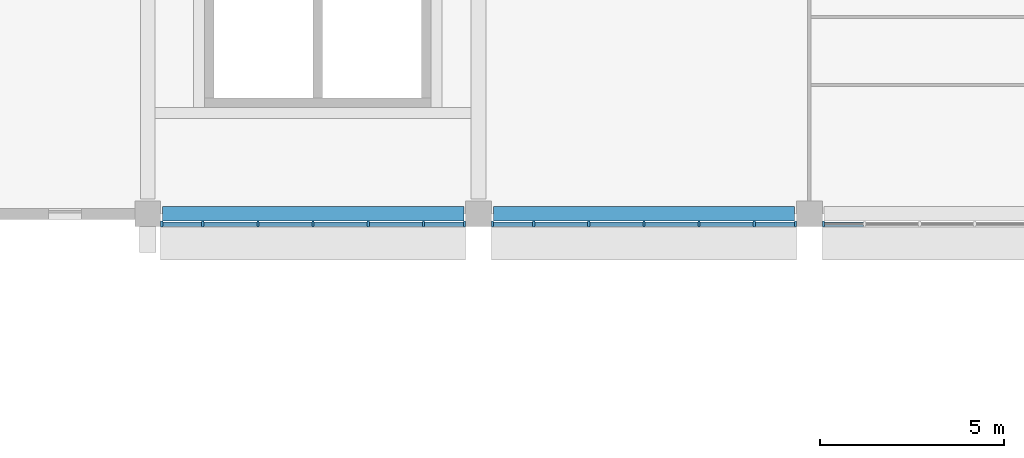
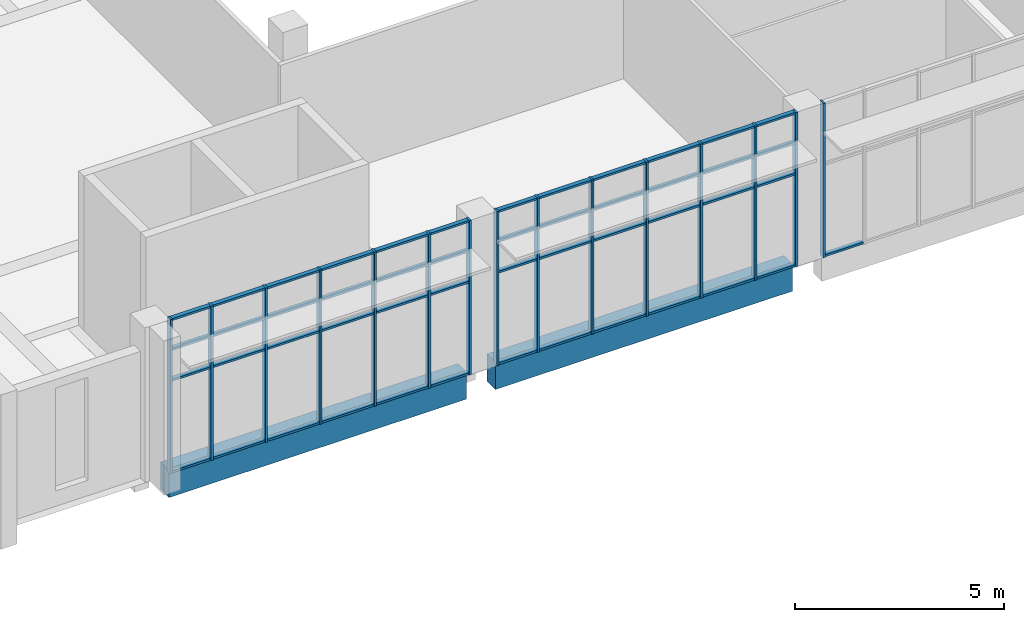
# One storey, part 2 of 45: 64 members, 2 beams, 3 elements without a shape of their own.
"""IFC4 building model written with IfcOpenShell, lengths in metres."""

import ifcopenshell
import ifcopenshell.guid

model = None  # the IFC model being written
_history = None  # IfcOwnerHistory: only IFC2X3 demands one
_inside = {}  # id of a spatial element -> (the spatial element, [elements in it])
_under = {}  # id of a project, library or spatial element -> (it, [spatial elements below it])
_declared = {}  # id of a project -> (the project, [libraries it declares])
_typed = {}  # id of a type object -> (the type object, [elements of that type])
_made_of = {}  # id of a material, layer set ... -> (it, [elements and type objects made of it])


def new_model(schema):
    """Start an empty IFC model of exactly this schema.

    Asked for "IFC4X3", IfcOpenShell would pick the latest addendum, in which some entities
    have other attributes; the version numbers below select the first issue.
    IFC2X3 requires an IfcOwnerHistory on every rooted entity: one is made here for all.
    """
    global model, _history
    if schema == "IFC4X3":
        model = ifcopenshell.file(schema_version=(4, 3, 0, 0))
    else:
        model = ifcopenshell.file(schema=schema)
    _inside.clear()
    _under.clear()
    _declared.clear()
    _typed.clear()
    _made_of.clear()
    _history = None
    if model.schema == "IFC2X3":
        org = make("IfcOrganization", Name="unknown")
        user = make(
            "IfcPersonAndOrganization",
            ThePerson=make("IfcPerson", FamilyName="unknown"),
            TheOrganization=org,
        )
        app = make(
            "IfcApplication",
            ApplicationDeveloper=org,
            Version="unknown",
            ApplicationFullName="unknown",
            ApplicationIdentifier="unknown",
        )
        _history = make(
            "IfcOwnerHistory",
            OwningUser=user,
            OwningApplication=app,
            ChangeAction="ADDED",
            CreationDate=0,
        )
    return model


def make(cls, **values):
    """One entity of the class cls with the attributes given. An attribute that is None is left unset."""
    return model.create_entity(
        cls, **{name: value for name, value in values.items() if value is not None}
    )


def rooted(cls, **values):
    """An entity with a GlobalId (a new one), such as an element, a storey or a relation."""
    return make(cls, GlobalId=ifcopenshell.guid.new(), OwnerHistory=_history, **values)


def si_unit(unit_type, name, prefix=None):
    """IfcSIUnit, for example si_unit("LENGTHUNIT", "METRE", prefix="MILLI")."""
    return make("IfcSIUnit", UnitType=unit_type, Prefix=prefix, Name=name)


def assignment(units):
    """IfcUnitAssignment: the units of a project."""
    return None if units is None else make("IfcUnitAssignment", Units=units)


def point(xyz):
    """IfcCartesianPoint."""
    return None if xyz is None else make("IfcCartesianPoint", Coordinates=xyz)


def direction(xyz):
    """IfcDirection."""
    return None if xyz is None else make("IfcDirection", DirectionRatios=xyz)


def frame(location, z_axis=None, x_axis=None):
    """IfcAxis2Placement3D, a coordinate frame: its origin and axes. An axis left out is left unset."""
    return make(
        "IfcAxis2Placement3D",
        Location=point(location),
        Axis=direction(z_axis),
        RefDirection=direction(x_axis),
    )


def frame_2d(location, x_axis=None):
    """IfcAxis2Placement2D, a coordinate frame in the plane: its origin and x axis."""
    return make(
        "IfcAxis2Placement2D", Location=point(location), RefDirection=direction(x_axis)
    )


def origin():
    """The frame at (0, 0, 0) with its axes left unset."""
    return frame((0.0, 0.0, 0.0))


def origin_2d():
    """The frame at (0, 0) in the plane with its x axis left unset."""
    return frame_2d((0.0, 0.0))


def place(relative_to, where):
    """IfcLocalPlacement: puts the frame where relative to a parent placement (None: the world)."""
    return make(
        "IfcLocalPlacement", PlacementRelTo=relative_to, RelativePlacement=where
    )


def context(
    kind, dimensions, precision=None, world=None, true_north=None, identifier=None
):
    """IfcGeometricRepresentationContext, for example the 3D "Model" context."""
    return make(
        "IfcGeometricRepresentationContext",
        ContextIdentifier=identifier,
        ContextType=kind,
        CoordinateSpaceDimension=dimensions,
        Precision=precision,
        WorldCoordinateSystem=world,
        TrueNorth=true_north,
    )


def subcontext(parent, identifier, kind, view, scale=None):
    """IfcGeometricRepresentationSubContext, for example "Body" below "Model"."""
    return make(
        "IfcGeometricRepresentationSubContext",
        ContextIdentifier=identifier,
        ContextType=kind,
        ParentContext=parent,
        TargetScale=scale,
        TargetView=view,
    )


def project(units=None, contexts=None):
    """IfcProject with its units and contexts."""
    return rooted(
        "IfcProject",
        Name="project",
        RepresentationContexts=contexts,
        UnitsInContext=assignment(units),
    )


def spatial(cls, under=None, at=None, **own):
    """A site, building, storey or space (cls), placed at a placement, below another one or the project."""
    s = rooted(cls, ObjectPlacement=at, **own)
    if under is not None:
        _under.setdefault(under.id(), (under, []))[1].append(s)
    return s


def profile(cls, at=None, kind="AREA", **sizes):
    """A parametric profile (cls). Its sizes go by their IFC names, for example OverallWidth=200.0."""
    return make(cls, ProfileType=kind, Position=at, **sizes)


def rectangle(**sizes):
    """IfcRectangleProfileDef."""
    return profile("IfcRectangleProfileDef", **sizes)


def extrude(swept, where, along, depth):
    """IfcExtrudedAreaSolid: the profile swept, set in the frame where, extruded along a direction by depth."""
    return make(
        "IfcExtrudedAreaSolid",
        SweptArea=swept,
        Position=where,
        ExtrudedDirection=direction(along),
        Depth=depth,
    )


def shape(context_of_items, identifier, shape_type, items):
    """IfcShapeRepresentation: the items that make up one representation, for example the "Body"."""
    return make(
        "IfcShapeRepresentation",
        ContextOfItems=context_of_items,
        RepresentationIdentifier=identifier,
        RepresentationType=shape_type,
        Items=items,
    )


def material(Name=None, Category=None):
    """IfcMaterial."""
    return make("IfcMaterial", Name=Name, Category=Category)


def layer(
    of_material, thickness, ventilated=None, Name=None, Category=None, Priority=None
):
    """IfcMaterialLayer: one layer of a wall or slab, of a material (None: an air gap)."""
    return make(
        "IfcMaterialLayer",
        Material=of_material,
        LayerThickness=thickness,
        IsVentilated=ventilated,
        Name=Name,
        Category=Category,
        Priority=Priority,
    )


def layer_set(layers, Name=None):
    """IfcMaterialLayerSet."""
    return make("IfcMaterialLayerSet", MaterialLayers=layers, LayerSetName=Name)


def material_profile(
    of_material, cross_section, Name=None, Category=None, Priority=None
):
    """IfcMaterialProfile: a cross section and its material."""
    return make(
        "IfcMaterialProfile",
        Name=Name,
        Material=of_material,
        Profile=cross_section,
        Priority=Priority,
        Category=Category,
    )


def profile_set(profiles, Name=None, composite=None):
    """IfcMaterialProfileSet."""
    return make(
        "IfcMaterialProfileSet",
        Name=Name,
        MaterialProfiles=profiles,
        CompositeProfile=composite,
    )


def made_of(thing, what):
    """Note that an element or type object is made of a material, layer set ...; save() writes the relation."""
    if what is not None:
        _made_of.setdefault(what.id(), (what, []))[1].append(thing)
    return thing


def type_object(cls, material=None, **own):
    """A type object (cls), such as IfcWallType, which elements share."""
    return made_of(rooted(cls, **own), material)


def element(
    cls,
    number,
    at=None,
    inside=None,
    cuts=None,
    type_object=None,
    material=None,
    context=None,
    identifier="Body",
    shape_type=None,
    held_by="IfcProductDefinitionShape",
    body=None,
    shapes=None,
    **own,
):
    """One element of the class cls, such as IfcWall. Its Tag is "e" and its number.

    at: its placement. inside: the storey or other place that contains it. cuts: it is an
    opening in that element (IfcRelVoidsElement). A single representation is given by context,
    identifier, shape_type and body (its items); several are given by shapes. held_by: the class
    of the entity that holds the representations. save() writes the other relations.
    """
    e = rooted(cls, Tag="e%d" % number, ObjectPlacement=at, **own)
    if body is not None:
        shapes = [shape(context, identifier, shape_type, body)]
    if shapes is not None:
        e.Representation = make(held_by, Representations=shapes)
    if inside is not None:
        _inside.setdefault(inside.id(), (inside, []))[1].append(e)
    if cuts is not None:
        rooted(
            "IfcRelVoidsElement", RelatingBuildingElement=cuts, RelatedOpeningElement=e
        )
    if type_object is not None:
        _typed.setdefault(type_object.id(), (type_object, []))[1].append(e)
    return made_of(e, material)


def aggregate(whole, parts):
    """IfcRelAggregates: a whole, such as a stair, and the parts it consists of."""
    return rooted("IfcRelAggregates", RelatingObject=whole, RelatedObjects=parts)


def save(model, path):
    """Write the relations noted so far, then the file.

    IfcRelAggregates (storeys below a building ...), IfcRelContainedInSpatialStructure (elements
    in a storey), IfcRelDefinesByType, IfcRelAssociatesMaterial and IfcRelDeclares: one each for
    every whole, place, type object, material and project.
    """
    for whole, parts in _under.values():
        aggregate(whole, parts)
    for where, things in _inside.values():
        rooted(
            "IfcRelContainedInSpatialStructure",
            RelatedElements=things,
            RelatingStructure=where,
        )
    for kind, things in _typed.values():
        rooted("IfcRelDefinesByType", RelatedObjects=things, RelatingType=kind)
    for what, things in _made_of.values():
        rooted("IfcRelAssociatesMaterial", RelatedObjects=things, RelatingMaterial=what)
    for by, libraries in _declared.values():
        rooted("IfcRelDeclares", RelatingContext=by, RelatedDefinitions=libraries)
    model.write(path)


model = new_model("IFC4")

# Units and contexts
model_context = context("Model", 3, precision=1e-05, world=origin(), true_north=direction((0.0, 1.0)))
body_context = subcontext(model_context, "Body", "Model", "MODEL_VIEW")
ifc_project = project(units=[si_unit("LENGTHUNIT", "METRE"), si_unit("AREAUNIT", "SQUARE_METRE"), si_unit("VOLUMEUNIT", "CUBIC_METRE"), si_unit("PLANEANGLEUNIT", "RADIAN"), si_unit("MASSUNIT", "GRAM", prefix="KILO")], contexts=[model_context])

# Site, building, storey
site_placement = place(None, origin())
site = spatial("IfcSite", under=ifc_project, at=site_placement, CompositionType="ELEMENT")
building_placement = place(site_placement, origin())
building = spatial("IfcBuilding", under=site, at=building_placement, Name="Guidao Yard Department Store", CompositionType="ELEMENT")
storey_placement = place(building_placement, frame((0.0, 0.0, 19.5)))
storey = spatial("IfcBuildingStorey", under=building, at=storey_placement, Name="L04", CompositionType="ELEMENT", Elevation=19.5)

# Curtain wall, members
ifc_material_1 = material(Name="Aluminium and glass", Category="aluminium")
ifc_layer = layer(ifc_material_1, 0.159912109375)
ifc_layer_set = layer_set([ifc_layer], Name="Hall front curtain wall CW2 1500 module")
curtain_wall_type = type_object("IfcCurtainWallType", Name="Hall front curtain wall CW2 1500 module", PredefinedType="NOTDEFINED", material=ifc_layer_set)
curtain_wall_1_placement = place(storey_placement, origin())
curtain_wall_1 = element("IfcCurtainWall", 1, at=curtain_wall_1_placement, inside=storey, type_object=curtain_wall_type, Name="Hall front curtain wall", PredefinedType="NOTDEFINED")
ifc_material_2 = material(Name="Aluminium 6063-T5", Category="aluminium")
ifc_material_profile_1 = material_profile(ifc_material_2, rectangle(XDim=0.06005859375, YDim=0.159912109375, at=origin_2d()), Name="Mullion M1 60 x 160 aluminium pressure plate")
ifc_profile_set_1 = profile_set([ifc_material_profile_1], Name="Aluminium 6063-T5")
member_type_1 = type_object("IfcMemberType", Name="Mullion M1 60 x 160 aluminium pressure plate", PredefinedType="MULLION", material=ifc_profile_set_1)
member_1_placement = place(storey_placement, frame((9.3798828125, 44.719970703125, 0.0), z_axis=(0.0, 0.0, 1.0), x_axis=(-1.0, 0.0, 0.0)))
member_1 = element("IfcMember", 2, at=member_1_placement, type_object=member_type_1, Name="CW-HF-L04-01 mullion 1", PredefinedType="MULLION", context=body_context, shape_type="SweptSolid", body=[
    extrude(rectangle(XDim=0.06005859375, YDim=0.159912109375, at=origin_2d()), origin(), (0.0, 0.0, 1.0), 4.5),
])
member_2_placement = place(storey_placement, frame((10.5, 44.719970703125, 0.0), z_axis=(0.0, 0.0, 1.0), x_axis=(-1.0, 0.0, 0.0)))
member_2 = element("IfcMember", 3, at=member_2_placement, type_object=member_type_1, Name="CW-HF-L04-01 mullion 2", PredefinedType="MULLION", context=body_context, shape_type="SweptSolid", body=[
    extrude(rectangle(XDim=0.06005859375, YDim=0.159912109375, at=origin_2d()), origin(), (0.0, 0.0, 1.0), 4.5),
])
member_3_placement = place(storey_placement, frame((12.0, 44.719970703125, 0.0), z_axis=(0.0, 0.0, 1.0), x_axis=(-1.0, 0.0, 0.0)))
member_3 = element("IfcMember", 4, at=member_3_placement, type_object=member_type_1, Name="CW-HF-L04-01 mullion 3", PredefinedType="MULLION", context=body_context, shape_type="SweptSolid", body=[
    extrude(rectangle(XDim=0.06005859375, YDim=0.159912109375, at=origin_2d()), origin(), (0.0, 0.0, 1.0), 4.5),
])
member_4_placement = place(storey_placement, frame((13.5, 44.719970703125, 0.0), z_axis=(0.0, 0.0, 1.0), x_axis=(-1.0, 0.0, 0.0)))
member_4 = element("IfcMember", 5, at=member_4_placement, type_object=member_type_1, Name="CW-HF-L04-01 mullion 4", PredefinedType="MULLION", context=body_context, shape_type="SweptSolid", body=[
    extrude(rectangle(XDim=0.06005859375, YDim=0.159912109375, at=origin_2d()), origin(), (0.0, 0.0, 1.0), 4.5),
])
member_5_placement = place(storey_placement, frame((15.0, 44.719970703125, 0.0), z_axis=(0.0, 0.0, 1.0), x_axis=(-1.0, 0.0, 0.0)))
member_5 = element("IfcMember", 6, at=member_5_placement, type_object=member_type_1, Name="CW-HF-L04-01 mullion 5", PredefinedType="MULLION", context=body_context, shape_type="SweptSolid", body=[
    extrude(rectangle(XDim=0.06005859375, YDim=0.159912109375, at=origin_2d()), origin(), (0.0, 0.0, 1.0), 4.5),
])
member_6_placement = place(storey_placement, frame((16.5, 44.719970703125, 0.0), z_axis=(0.0, 0.0, 1.0), x_axis=(-1.0, 0.0, 0.0)))
member_6 = element("IfcMember", 7, at=member_6_placement, type_object=member_type_1, Name="CW-HF-L04-01 mullion 6", PredefinedType="MULLION", context=body_context, shape_type="SweptSolid", body=[
    extrude(rectangle(XDim=0.06005859375, YDim=0.159912109375, at=origin_2d()), origin(), (0.0, 0.0, 1.0), 4.5),
])
member_7_placement = place(storey_placement, frame((17.6201171875, 44.719970703125, 0.0), z_axis=(0.0, 0.0, 1.0), x_axis=(-1.0, 0.0, 0.0)))
member_7 = element("IfcMember", 8, at=member_7_placement, type_object=member_type_1, Name="CW-HF-L04-01 mullion 7", PredefinedType="MULLION", context=body_context, shape_type="SweptSolid", body=[
    extrude(rectangle(XDim=0.06005859375, YDim=0.159912109375, at=origin_2d()), origin(), (0.0, 0.0, 1.0), 4.5),
])

curtain_wall_2_placement = place(storey_placement, origin())
curtain_wall_2 = element("IfcCurtainWall", 9, at=curtain_wall_2_placement, inside=storey, type_object=curtain_wall_type, Name="Hall front curtain wall", PredefinedType="NOTDEFINED")
member_8_placement = place(storey_placement, frame((18.3798828125, 44.719970703125, 0.0), z_axis=(0.0, 0.0, 1.0), x_axis=(-1.0, 0.0, 0.0)))
member_8 = element("IfcMember", 10, at=member_8_placement, type_object=member_type_1, Name="CW-HF-L04-02 mullion 1", PredefinedType="MULLION", context=body_context, shape_type="SweptSolid", body=[
    extrude(rectangle(XDim=0.06005859375, YDim=0.159912109375, at=origin_2d()), origin(), (0.0, 0.0, 1.0), 4.5),
])
member_9_placement = place(storey_placement, frame((19.5, 44.719970703125, 0.0), z_axis=(0.0, 0.0, 1.0), x_axis=(-1.0, 0.0, 0.0)))
member_9 = element("IfcMember", 11, at=member_9_placement, type_object=member_type_1, Name="CW-HF-L04-02 mullion 2", PredefinedType="MULLION", context=body_context, shape_type="SweptSolid", body=[
    extrude(rectangle(XDim=0.06005859375, YDim=0.159912109375, at=origin_2d()), origin(), (0.0, 0.0, 1.0), 4.5),
])
member_10_placement = place(storey_placement, frame((21.0, 44.719970703125, 0.0), z_axis=(0.0, 0.0, 1.0), x_axis=(-1.0, 0.0, 0.0)))
member_10 = element("IfcMember", 12, at=member_10_placement, type_object=member_type_1, Name="CW-HF-L04-02 mullion 3", PredefinedType="MULLION", context=body_context, shape_type="SweptSolid", body=[
    extrude(rectangle(XDim=0.06005859375, YDim=0.159912109375, at=origin_2d()), origin(), (0.0, 0.0, 1.0), 4.5),
])
member_11_placement = place(storey_placement, frame((22.5, 44.719970703125, 0.0), z_axis=(0.0, 0.0, 1.0), x_axis=(-1.0, 0.0, 0.0)))
member_11 = element("IfcMember", 13, at=member_11_placement, type_object=member_type_1, Name="CW-HF-L04-02 mullion 4", PredefinedType="MULLION", context=body_context, shape_type="SweptSolid", body=[
    extrude(rectangle(XDim=0.06005859375, YDim=0.159912109375, at=origin_2d()), origin(), (0.0, 0.0, 1.0), 4.5),
])
member_12_placement = place(storey_placement, frame((24.0, 44.719970703125, 0.0), z_axis=(0.0, 0.0, 1.0), x_axis=(-1.0, 0.0, 0.0)))
member_12 = element("IfcMember", 14, at=member_12_placement, type_object=member_type_1, Name="CW-HF-L04-02 mullion 5", PredefinedType="MULLION", context=body_context, shape_type="SweptSolid", body=[
    extrude(rectangle(XDim=0.06005859375, YDim=0.159912109375, at=origin_2d()), origin(), (0.0, 0.0, 1.0), 4.5),
])
member_13_placement = place(storey_placement, frame((25.5, 44.719970703125, 0.0), z_axis=(0.0, 0.0, 1.0), x_axis=(-1.0, 0.0, 0.0)))
member_13 = element("IfcMember", 15, at=member_13_placement, type_object=member_type_1, Name="CW-HF-L04-02 mullion 6", PredefinedType="MULLION", context=body_context, shape_type="SweptSolid", body=[
    extrude(rectangle(XDim=0.06005859375, YDim=0.159912109375, at=origin_2d()), origin(), (0.0, 0.0, 1.0), 4.5),
])
member_14_placement = place(storey_placement, frame((26.6201171875, 44.719970703125, 0.0), z_axis=(0.0, 0.0, 1.0), x_axis=(-1.0, 0.0, 0.0)))
member_14 = element("IfcMember", 16, at=member_14_placement, type_object=member_type_1, Name="CW-HF-L04-02 mullion 7", PredefinedType="MULLION", context=body_context, shape_type="SweptSolid", body=[
    extrude(rectangle(XDim=0.06005859375, YDim=0.159912109375, at=origin_2d()), origin(), (0.0, 0.0, 1.0), 4.5),
])

# Curtain wall, member
curtain_wall_3_placement = place(storey_placement, origin())
curtain_wall_3 = element("IfcCurtainWall", 17, at=curtain_wall_3_placement, inside=storey, type_object=curtain_wall_type, Name="Hall front curtain wall", PredefinedType="NOTDEFINED")
member_15_placement = place(storey_placement, frame((27.3798828125, 44.719970703125, 0.0), z_axis=(0.0, 0.0, 1.0), x_axis=(-1.0, 0.0, 0.0)))
member_15 = element("IfcMember", 18, at=member_15_placement, type_object=member_type_1, Name="CW-HF-L04-03 mullion 1", PredefinedType="MULLION", context=body_context, shape_type="SweptSolid", body=[
    extrude(rectangle(XDim=0.06005859375, YDim=0.159912109375, at=origin_2d()), origin(), (0.0, 0.0, 1.0), 4.5),
])

# Beams
ifc_material_3 = material(Name="Concrete C40", Category="concrete")
ifc_material_profile_2 = material_profile(ifc_material_3, rectangle(XDim=0.39990234375, YDim=0.800048828125, at=origin_2d()), Name="Spandrel beam 400 x 800 C40")
ifc_profile_set_2 = profile_set([ifc_material_profile_2], Name="Concrete C40")
beam_type = type_object("IfcBeamType", Name="Spandrel beam 400 x 800 C40", PredefinedType="SPANDREL", material=ifc_profile_set_2)
for number, where, z_axis, x_axis, name in (
    (19, (9.39990234375, 45.0, -0.39990234375), (1.0, 0.0, 0.0), (0.0, 1.0, 0.0), "Beam EB01"),
    (20, (18.39990234375, 45.0, -0.39990234375), (1.0, 0.0, 0.0), (0.0, 1.0, 0.0), "Beam EB02"),
):
    element("IfcBeam", number, at=place(storey_placement, frame(where, z_axis=z_axis, x_axis=x_axis)), inside=storey, type_object=beam_type, Name=name, PredefinedType="SPANDREL", context=body_context, shape_type="SweptSolid", body=[
        extrude(rectangle(XDim=0.39990234375, YDim=0.800048828125, at=origin_2d()), origin(), (0.0, 0.0, 1.0), 8.2001953125),
    ])

# Member
ifc_material_4 = material(Name="Aluminium 6063-T5", Category="aluminium")
ifc_material_profile_3 = material_profile(ifc_material_4, rectangle(XDim=0.1201171875, YDim=0.06005859375, at=origin_2d()), Name="Transom T1 60 x 120 aluminium pressure plate")
ifc_profile_set_3 = profile_set([ifc_material_profile_3], Name="Aluminium 6063-T5")
member_type_2 = type_object("IfcMemberType", Name="Transom T1 60 x 120 aluminium pressure plate", PredefinedType="USERDEFINED", material=ifc_profile_set_3)
member_16_placement = place(storey_placement, frame((10.469970703125, 44.719970703125, 0.030029296875), z_axis=(-1.0, 0.0, 0.0), x_axis=(0.0, -1.0, 0.0)))
member_16 = element("IfcMember", 21, at=member_16_placement, type_object=member_type_2, Name="CW-HF-L04-01 transom 1.1", ObjectType="TRANSOM", PredefinedType="USERDEFINED", context=body_context, shape_type="SweptSolid", body=[
    extrude(rectangle(XDim=0.1201171875, YDim=0.06005859375, at=origin_2d()), origin(), (0.0, 0.0, 1.0), 1.06005859375),
])

member_17_placement = place(storey_placement, frame((10.469970703125, 44.719970703125, 2.699951171875), z_axis=(-1.0, 0.0, 0.0), x_axis=(0.0, -1.0, 0.0)))
member_17 = element("IfcMember", 22, at=member_17_placement, type_object=member_type_2, Name="CW-HF-L04-01 transom 1.2", ObjectType="TRANSOM", PredefinedType="USERDEFINED", context=body_context, shape_type="SweptSolid", body=[
    extrude(rectangle(XDim=0.1201171875, YDim=0.06005859375, at=origin_2d()), origin(), (0.0, 0.0, 1.0), 1.06005859375),
])

member_18_placement = place(storey_placement, frame((10.469970703125, 44.719970703125, 3.60009765625), z_axis=(-1.0, 0.0, 0.0), x_axis=(0.0, -1.0, 0.0)))
member_18 = element("IfcMember", 23, at=member_18_placement, type_object=member_type_2, Name="CW-HF-L04-01 transom 1.3", ObjectType="TRANSOM", PredefinedType="USERDEFINED", context=body_context, shape_type="SweptSolid", body=[
    extrude(rectangle(XDim=0.1201171875, YDim=0.06005859375, at=origin_2d()), origin(), (0.0, 0.0, 1.0), 1.06005859375),
])

member_19_placement = place(storey_placement, frame((10.469970703125, 44.719970703125, 4.469970703125), z_axis=(-1.0, 0.0, 0.0), x_axis=(0.0, -1.0, 0.0)))
member_19 = element("IfcMember", 24, at=member_19_placement, type_object=member_type_2, Name="CW-HF-L04-01 transom 1.4", ObjectType="TRANSOM", PredefinedType="USERDEFINED", context=body_context, shape_type="SweptSolid", body=[
    extrude(rectangle(XDim=0.1201171875, YDim=0.06005859375, at=origin_2d()), origin(), (0.0, 0.0, 1.0), 1.06005859375),
])

member_20_placement = place(storey_placement, frame((11.969970703125, 44.719970703125, 0.030029296875), z_axis=(-1.0, 0.0, 0.0), x_axis=(0.0, -1.0, 0.0)))
member_20 = element("IfcMember", 25, at=member_20_placement, type_object=member_type_2, Name="CW-HF-L04-01 transom 2.1", ObjectType="TRANSOM", PredefinedType="USERDEFINED", context=body_context, shape_type="SweptSolid", body=[
    extrude(rectangle(XDim=0.1201171875, YDim=0.06005859375, at=origin_2d()), origin(), (0.0, 0.0, 1.0), 1.43994140625),
])

member_21_placement = place(storey_placement, frame((11.969970703125, 44.719970703125, 2.699951171875), z_axis=(-1.0, 0.0, 0.0), x_axis=(0.0, -1.0, 0.0)))
member_21 = element("IfcMember", 26, at=member_21_placement, type_object=member_type_2, Name="CW-HF-L04-01 transom 2.2", ObjectType="TRANSOM", PredefinedType="USERDEFINED", context=body_context, shape_type="SweptSolid", body=[
    extrude(rectangle(XDim=0.1201171875, YDim=0.06005859375, at=origin_2d()), origin(), (0.0, 0.0, 1.0), 1.43994140625),
])

member_22_placement = place(storey_placement, frame((11.969970703125, 44.719970703125, 3.60009765625), z_axis=(-1.0, 0.0, 0.0), x_axis=(0.0, -1.0, 0.0)))
member_22 = element("IfcMember", 27, at=member_22_placement, type_object=member_type_2, Name="CW-HF-L04-01 transom 2.3", ObjectType="TRANSOM", PredefinedType="USERDEFINED", context=body_context, shape_type="SweptSolid", body=[
    extrude(rectangle(XDim=0.1201171875, YDim=0.06005859375, at=origin_2d()), origin(), (0.0, 0.0, 1.0), 1.43994140625),
])

member_23_placement = place(storey_placement, frame((11.969970703125, 44.719970703125, 4.469970703125), z_axis=(-1.0, 0.0, 0.0), x_axis=(0.0, -1.0, 0.0)))
member_23 = element("IfcMember", 28, at=member_23_placement, type_object=member_type_2, Name="CW-HF-L04-01 transom 2.4", ObjectType="TRANSOM", PredefinedType="USERDEFINED", context=body_context, shape_type="SweptSolid", body=[
    extrude(rectangle(XDim=0.1201171875, YDim=0.06005859375, at=origin_2d()), origin(), (0.0, 0.0, 1.0), 1.43994140625),
])

member_24_placement = place(storey_placement, frame((13.469970703125, 44.719970703125, 0.030029296875), z_axis=(-1.0, 0.0, 0.0), x_axis=(0.0, -1.0, 0.0)))
member_24 = element("IfcMember", 29, at=member_24_placement, type_object=member_type_2, Name="CW-HF-L04-01 transom 3.1", ObjectType="TRANSOM", PredefinedType="USERDEFINED", context=body_context, shape_type="SweptSolid", body=[
    extrude(rectangle(XDim=0.1201171875, YDim=0.06005859375, at=origin_2d()), origin(), (0.0, 0.0, 1.0), 1.43994140625),
])

member_25_placement = place(storey_placement, frame((13.469970703125, 44.719970703125, 2.699951171875), z_axis=(-1.0, 0.0, 0.0), x_axis=(0.0, -1.0, 0.0)))
member_25 = element("IfcMember", 30, at=member_25_placement, type_object=member_type_2, Name="CW-HF-L04-01 transom 3.2", ObjectType="TRANSOM", PredefinedType="USERDEFINED", context=body_context, shape_type="SweptSolid", body=[
    extrude(rectangle(XDim=0.1201171875, YDim=0.06005859375, at=origin_2d()), origin(), (0.0, 0.0, 1.0), 1.43994140625),
])

member_26_placement = place(storey_placement, frame((13.469970703125, 44.719970703125, 3.60009765625), z_axis=(-1.0, 0.0, 0.0), x_axis=(0.0, -1.0, 0.0)))
member_26 = element("IfcMember", 31, at=member_26_placement, type_object=member_type_2, Name="CW-HF-L04-01 transom 3.3", ObjectType="TRANSOM", PredefinedType="USERDEFINED", context=body_context, shape_type="SweptSolid", body=[
    extrude(rectangle(XDim=0.1201171875, YDim=0.06005859375, at=origin_2d()), origin(), (0.0, 0.0, 1.0), 1.43994140625),
])

member_27_placement = place(storey_placement, frame((13.469970703125, 44.719970703125, 4.469970703125), z_axis=(-1.0, 0.0, 0.0), x_axis=(0.0, -1.0, 0.0)))
member_27 = element("IfcMember", 32, at=member_27_placement, type_object=member_type_2, Name="CW-HF-L04-01 transom 3.4", ObjectType="TRANSOM", PredefinedType="USERDEFINED", context=body_context, shape_type="SweptSolid", body=[
    extrude(rectangle(XDim=0.1201171875, YDim=0.06005859375, at=origin_2d()), origin(), (0.0, 0.0, 1.0), 1.43994140625),
])

member_28_placement = place(storey_placement, frame((14.969970703125, 44.719970703125, 0.030029296875), z_axis=(-1.0, 0.0, 0.0), x_axis=(0.0, -1.0, 0.0)))
member_28 = element("IfcMember", 33, at=member_28_placement, type_object=member_type_2, Name="CW-HF-L04-01 transom 4.1", ObjectType="TRANSOM", PredefinedType="USERDEFINED", context=body_context, shape_type="SweptSolid", body=[
    extrude(rectangle(XDim=0.1201171875, YDim=0.06005859375, at=origin_2d()), origin(), (0.0, 0.0, 1.0), 1.43994140625),
])

member_29_placement = place(storey_placement, frame((14.969970703125, 44.719970703125, 2.699951171875), z_axis=(-1.0, 0.0, 0.0), x_axis=(0.0, -1.0, 0.0)))
member_29 = element("IfcMember", 34, at=member_29_placement, type_object=member_type_2, Name="CW-HF-L04-01 transom 4.2", ObjectType="TRANSOM", PredefinedType="USERDEFINED", context=body_context, shape_type="SweptSolid", body=[
    extrude(rectangle(XDim=0.1201171875, YDim=0.06005859375, at=origin_2d()), origin(), (0.0, 0.0, 1.0), 1.43994140625),
])

member_30_placement = place(storey_placement, frame((14.969970703125, 44.719970703125, 3.60009765625), z_axis=(-1.0, 0.0, 0.0), x_axis=(0.0, -1.0, 0.0)))
member_30 = element("IfcMember", 35, at=member_30_placement, type_object=member_type_2, Name="CW-HF-L04-01 transom 4.3", ObjectType="TRANSOM", PredefinedType="USERDEFINED", context=body_context, shape_type="SweptSolid", body=[
    extrude(rectangle(XDim=0.1201171875, YDim=0.06005859375, at=origin_2d()), origin(), (0.0, 0.0, 1.0), 1.43994140625),
])

member_31_placement = place(storey_placement, frame((14.969970703125, 44.719970703125, 4.469970703125), z_axis=(-1.0, 0.0, 0.0), x_axis=(0.0, -1.0, 0.0)))
member_31 = element("IfcMember", 36, at=member_31_placement, type_object=member_type_2, Name="CW-HF-L04-01 transom 4.4", ObjectType="TRANSOM", PredefinedType="USERDEFINED", context=body_context, shape_type="SweptSolid", body=[
    extrude(rectangle(XDim=0.1201171875, YDim=0.06005859375, at=origin_2d()), origin(), (0.0, 0.0, 1.0), 1.43994140625),
])

member_32_placement = place(storey_placement, frame((16.469970703125, 44.719970703125, 0.030029296875), z_axis=(-1.0, 0.0, 0.0), x_axis=(0.0, -1.0, 0.0)))
member_32 = element("IfcMember", 37, at=member_32_placement, type_object=member_type_2, Name="CW-HF-L04-01 transom 5.1", ObjectType="TRANSOM", PredefinedType="USERDEFINED", context=body_context, shape_type="SweptSolid", body=[
    extrude(rectangle(XDim=0.1201171875, YDim=0.06005859375, at=origin_2d()), origin(), (0.0, 0.0, 1.0), 1.43994140625),
])

member_33_placement = place(storey_placement, frame((16.469970703125, 44.719970703125, 2.699951171875), z_axis=(-1.0, 0.0, 0.0), x_axis=(0.0, -1.0, 0.0)))
member_33 = element("IfcMember", 38, at=member_33_placement, type_object=member_type_2, Name="CW-HF-L04-01 transom 5.2", ObjectType="TRANSOM", PredefinedType="USERDEFINED", context=body_context, shape_type="SweptSolid", body=[
    extrude(rectangle(XDim=0.1201171875, YDim=0.06005859375, at=origin_2d()), origin(), (0.0, 0.0, 1.0), 1.43994140625),
])

member_34_placement = place(storey_placement, frame((16.469970703125, 44.719970703125, 3.60009765625), z_axis=(-1.0, 0.0, 0.0), x_axis=(0.0, -1.0, 0.0)))
member_34 = element("IfcMember", 39, at=member_34_placement, type_object=member_type_2, Name="CW-HF-L04-01 transom 5.3", ObjectType="TRANSOM", PredefinedType="USERDEFINED", context=body_context, shape_type="SweptSolid", body=[
    extrude(rectangle(XDim=0.1201171875, YDim=0.06005859375, at=origin_2d()), origin(), (0.0, 0.0, 1.0), 1.43994140625),
])

member_35_placement = place(storey_placement, frame((16.469970703125, 44.719970703125, 4.469970703125), z_axis=(-1.0, 0.0, 0.0), x_axis=(0.0, -1.0, 0.0)))
member_35 = element("IfcMember", 40, at=member_35_placement, type_object=member_type_2, Name="CW-HF-L04-01 transom 5.4", ObjectType="TRANSOM", PredefinedType="USERDEFINED", context=body_context, shape_type="SweptSolid", body=[
    extrude(rectangle(XDim=0.1201171875, YDim=0.06005859375, at=origin_2d()), origin(), (0.0, 0.0, 1.0), 1.43994140625),
])

member_36_placement = place(storey_placement, frame((17.590087890625, 44.719970703125, 0.030029296875), z_axis=(-1.0, 0.0, 0.0), x_axis=(0.0, -1.0, 0.0)))
member_36 = element("IfcMember", 41, at=member_36_placement, type_object=member_type_2, Name="CW-HF-L04-01 transom 6.1", ObjectType="TRANSOM", PredefinedType="USERDEFINED", context=body_context, shape_type="SweptSolid", body=[
    extrude(rectangle(XDim=0.1201171875, YDim=0.06005859375, at=origin_2d()), origin(), (0.0, 0.0, 1.0), 1.06005859375),
])

member_37_placement = place(storey_placement, frame((17.590087890625, 44.719970703125, 2.699951171875), z_axis=(-1.0, 0.0, 0.0), x_axis=(0.0, -1.0, 0.0)))
member_37 = element("IfcMember", 42, at=member_37_placement, type_object=member_type_2, Name="CW-HF-L04-01 transom 6.2", ObjectType="TRANSOM", PredefinedType="USERDEFINED", context=body_context, shape_type="SweptSolid", body=[
    extrude(rectangle(XDim=0.1201171875, YDim=0.06005859375, at=origin_2d()), origin(), (0.0, 0.0, 1.0), 1.06005859375),
])

member_38_placement = place(storey_placement, frame((17.590087890625, 44.719970703125, 3.60009765625), z_axis=(-1.0, 0.0, 0.0), x_axis=(0.0, -1.0, 0.0)))
member_38 = element("IfcMember", 43, at=member_38_placement, type_object=member_type_2, Name="CW-HF-L04-01 transom 6.3", ObjectType="TRANSOM", PredefinedType="USERDEFINED", context=body_context, shape_type="SweptSolid", body=[
    extrude(rectangle(XDim=0.1201171875, YDim=0.06005859375, at=origin_2d()), origin(), (0.0, 0.0, 1.0), 1.06005859375),
])

member_39_placement = place(storey_placement, frame((17.590087890625, 44.719970703125, 4.469970703125), z_axis=(-1.0, 0.0, 0.0), x_axis=(0.0, -1.0, 0.0)))
member_39 = element("IfcMember", 44, at=member_39_placement, type_object=member_type_2, Name="CW-HF-L04-01 transom 6.4", ObjectType="TRANSOM", PredefinedType="USERDEFINED", context=body_context, shape_type="SweptSolid", body=[
    extrude(rectangle(XDim=0.1201171875, YDim=0.06005859375, at=origin_2d()), origin(), (0.0, 0.0, 1.0), 1.06005859375),
])

aggregate(curtain_wall_1, [member_1, member_2, member_3, member_4, member_5, member_6, member_7, member_16, member_17, member_18, member_19, member_20, member_21, member_22, member_23, member_24, member_25, member_26, member_27, member_28, member_29, member_30, member_31, member_32, member_33, member_34, member_35, member_36, member_37, member_38, member_39])

member_40_placement = place(storey_placement, frame((19.469970703125, 44.719970703125, 0.030029296875), z_axis=(-1.0, 0.0, 0.0), x_axis=(0.0, -1.0, 0.0)))
member_40 = element("IfcMember", 45, at=member_40_placement, type_object=member_type_2, Name="CW-HF-L04-02 transom 1.1", ObjectType="TRANSOM", PredefinedType="USERDEFINED", context=body_context, shape_type="SweptSolid", body=[
    extrude(rectangle(XDim=0.1201171875, YDim=0.06005859375, at=origin_2d()), origin(), (0.0, 0.0, 1.0), 1.06005859375),
])

member_41_placement = place(storey_placement, frame((19.469970703125, 44.719970703125, 2.699951171875), z_axis=(-1.0, 0.0, 0.0), x_axis=(0.0, -1.0, 0.0)))
member_41 = element("IfcMember", 46, at=member_41_placement, type_object=member_type_2, Name="CW-HF-L04-02 transom 1.2", ObjectType="TRANSOM", PredefinedType="USERDEFINED", context=body_context, shape_type="SweptSolid", body=[
    extrude(rectangle(XDim=0.1201171875, YDim=0.06005859375, at=origin_2d()), origin(), (0.0, 0.0, 1.0), 1.06005859375),
])

member_42_placement = place(storey_placement, frame((19.469970703125, 44.719970703125, 3.60009765625), z_axis=(-1.0, 0.0, 0.0), x_axis=(0.0, -1.0, 0.0)))
member_42 = element("IfcMember", 47, at=member_42_placement, type_object=member_type_2, Name="CW-HF-L04-02 transom 1.3", ObjectType="TRANSOM", PredefinedType="USERDEFINED", context=body_context, shape_type="SweptSolid", body=[
    extrude(rectangle(XDim=0.1201171875, YDim=0.06005859375, at=origin_2d()), origin(), (0.0, 0.0, 1.0), 1.06005859375),
])

member_43_placement = place(storey_placement, frame((19.469970703125, 44.719970703125, 4.469970703125), z_axis=(-1.0, 0.0, 0.0), x_axis=(0.0, -1.0, 0.0)))
member_43 = element("IfcMember", 48, at=member_43_placement, type_object=member_type_2, Name="CW-HF-L04-02 transom 1.4", ObjectType="TRANSOM", PredefinedType="USERDEFINED", context=body_context, shape_type="SweptSolid", body=[
    extrude(rectangle(XDim=0.1201171875, YDim=0.06005859375, at=origin_2d()), origin(), (0.0, 0.0, 1.0), 1.06005859375),
])

member_44_placement = place(storey_placement, frame((20.969970703125, 44.719970703125, 0.030029296875), z_axis=(-1.0, 0.0, 0.0), x_axis=(0.0, -1.0, 0.0)))
member_44 = element("IfcMember", 49, at=member_44_placement, type_object=member_type_2, Name="CW-HF-L04-02 transom 2.1", ObjectType="TRANSOM", PredefinedType="USERDEFINED", context=body_context, shape_type="SweptSolid", body=[
    extrude(rectangle(XDim=0.1201171875, YDim=0.06005859375, at=origin_2d()), origin(), (0.0, 0.0, 1.0), 1.43994140625),
])

member_45_placement = place(storey_placement, frame((20.969970703125, 44.719970703125, 2.699951171875), z_axis=(-1.0, 0.0, 0.0), x_axis=(0.0, -1.0, 0.0)))
member_45 = element("IfcMember", 50, at=member_45_placement, type_object=member_type_2, Name="CW-HF-L04-02 transom 2.2", ObjectType="TRANSOM", PredefinedType="USERDEFINED", context=body_context, shape_type="SweptSolid", body=[
    extrude(rectangle(XDim=0.1201171875, YDim=0.06005859375, at=origin_2d()), origin(), (0.0, 0.0, 1.0), 1.43994140625),
])

member_46_placement = place(storey_placement, frame((20.969970703125, 44.719970703125, 3.60009765625), z_axis=(-1.0, 0.0, 0.0), x_axis=(0.0, -1.0, 0.0)))
member_46 = element("IfcMember", 51, at=member_46_placement, type_object=member_type_2, Name="CW-HF-L04-02 transom 2.3", ObjectType="TRANSOM", PredefinedType="USERDEFINED", context=body_context, shape_type="SweptSolid", body=[
    extrude(rectangle(XDim=0.1201171875, YDim=0.06005859375, at=origin_2d()), origin(), (0.0, 0.0, 1.0), 1.43994140625),
])

member_47_placement = place(storey_placement, frame((20.969970703125, 44.719970703125, 4.469970703125), z_axis=(-1.0, 0.0, 0.0), x_axis=(0.0, -1.0, 0.0)))
member_47 = element("IfcMember", 52, at=member_47_placement, type_object=member_type_2, Name="CW-HF-L04-02 transom 2.4", ObjectType="TRANSOM", PredefinedType="USERDEFINED", context=body_context, shape_type="SweptSolid", body=[
    extrude(rectangle(XDim=0.1201171875, YDim=0.06005859375, at=origin_2d()), origin(), (0.0, 0.0, 1.0), 1.43994140625),
])

member_48_placement = place(storey_placement, frame((22.469970703125, 44.719970703125, 0.030029296875), z_axis=(-1.0, 0.0, 0.0), x_axis=(0.0, -1.0, 0.0)))
member_48 = element("IfcMember", 53, at=member_48_placement, type_object=member_type_2, Name="CW-HF-L04-02 transom 3.1", ObjectType="TRANSOM", PredefinedType="USERDEFINED", context=body_context, shape_type="SweptSolid", body=[
    extrude(rectangle(XDim=0.1201171875, YDim=0.06005859375, at=origin_2d()), origin(), (0.0, 0.0, 1.0), 1.43994140625),
])

member_49_placement = place(storey_placement, frame((22.469970703125, 44.719970703125, 2.699951171875), z_axis=(-1.0, 0.0, 0.0), x_axis=(0.0, -1.0, 0.0)))
member_49 = element("IfcMember", 54, at=member_49_placement, type_object=member_type_2, Name="CW-HF-L04-02 transom 3.2", ObjectType="TRANSOM", PredefinedType="USERDEFINED", context=body_context, shape_type="SweptSolid", body=[
    extrude(rectangle(XDim=0.1201171875, YDim=0.06005859375, at=origin_2d()), origin(), (0.0, 0.0, 1.0), 1.43994140625),
])

member_50_placement = place(storey_placement, frame((22.469970703125, 44.719970703125, 3.60009765625), z_axis=(-1.0, 0.0, 0.0), x_axis=(0.0, -1.0, 0.0)))
member_50 = element("IfcMember", 55, at=member_50_placement, type_object=member_type_2, Name="CW-HF-L04-02 transom 3.3", ObjectType="TRANSOM", PredefinedType="USERDEFINED", context=body_context, shape_type="SweptSolid", body=[
    extrude(rectangle(XDim=0.1201171875, YDim=0.06005859375, at=origin_2d()), origin(), (0.0, 0.0, 1.0), 1.43994140625),
])

member_51_placement = place(storey_placement, frame((22.469970703125, 44.719970703125, 4.469970703125), z_axis=(-1.0, 0.0, 0.0), x_axis=(0.0, -1.0, 0.0)))
member_51 = element("IfcMember", 56, at=member_51_placement, type_object=member_type_2, Name="CW-HF-L04-02 transom 3.4", ObjectType="TRANSOM", PredefinedType="USERDEFINED", context=body_context, shape_type="SweptSolid", body=[
    extrude(rectangle(XDim=0.1201171875, YDim=0.06005859375, at=origin_2d()), origin(), (0.0, 0.0, 1.0), 1.43994140625),
])

member_52_placement = place(storey_placement, frame((23.969970703125, 44.719970703125, 0.030029296875), z_axis=(-1.0, 0.0, 0.0), x_axis=(0.0, -1.0, 0.0)))
member_52 = element("IfcMember", 57, at=member_52_placement, type_object=member_type_2, Name="CW-HF-L04-02 transom 4.1", ObjectType="TRANSOM", PredefinedType="USERDEFINED", context=body_context, shape_type="SweptSolid", body=[
    extrude(rectangle(XDim=0.1201171875, YDim=0.06005859375, at=origin_2d()), origin(), (0.0, 0.0, 1.0), 1.43994140625),
])

member_53_placement = place(storey_placement, frame((23.969970703125, 44.719970703125, 2.699951171875), z_axis=(-1.0, 0.0, 0.0), x_axis=(0.0, -1.0, 0.0)))
member_53 = element("IfcMember", 58, at=member_53_placement, type_object=member_type_2, Name="CW-HF-L04-02 transom 4.2", ObjectType="TRANSOM", PredefinedType="USERDEFINED", context=body_context, shape_type="SweptSolid", body=[
    extrude(rectangle(XDim=0.1201171875, YDim=0.06005859375, at=origin_2d()), origin(), (0.0, 0.0, 1.0), 1.43994140625),
])

member_54_placement = place(storey_placement, frame((23.969970703125, 44.719970703125, 3.60009765625), z_axis=(-1.0, 0.0, 0.0), x_axis=(0.0, -1.0, 0.0)))
member_54 = element("IfcMember", 59, at=member_54_placement, type_object=member_type_2, Name="CW-HF-L04-02 transom 4.3", ObjectType="TRANSOM", PredefinedType="USERDEFINED", context=body_context, shape_type="SweptSolid", body=[
    extrude(rectangle(XDim=0.1201171875, YDim=0.06005859375, at=origin_2d()), origin(), (0.0, 0.0, 1.0), 1.43994140625),
])

member_55_placement = place(storey_placement, frame((23.969970703125, 44.719970703125, 4.469970703125), z_axis=(-1.0, 0.0, 0.0), x_axis=(0.0, -1.0, 0.0)))
member_55 = element("IfcMember", 60, at=member_55_placement, type_object=member_type_2, Name="CW-HF-L04-02 transom 4.4", ObjectType="TRANSOM", PredefinedType="USERDEFINED", context=body_context, shape_type="SweptSolid", body=[
    extrude(rectangle(XDim=0.1201171875, YDim=0.06005859375, at=origin_2d()), origin(), (0.0, 0.0, 1.0), 1.43994140625),
])

member_56_placement = place(storey_placement, frame((25.469970703125, 44.719970703125, 0.030029296875), z_axis=(-1.0, 0.0, 0.0), x_axis=(0.0, -1.0, 0.0)))
member_56 = element("IfcMember", 61, at=member_56_placement, type_object=member_type_2, Name="CW-HF-L04-02 transom 5.1", ObjectType="TRANSOM", PredefinedType="USERDEFINED", context=body_context, shape_type="SweptSolid", body=[
    extrude(rectangle(XDim=0.1201171875, YDim=0.06005859375, at=origin_2d()), origin(), (0.0, 0.0, 1.0), 1.43994140625),
])

member_57_placement = place(storey_placement, frame((25.469970703125, 44.719970703125, 2.699951171875), z_axis=(-1.0, 0.0, 0.0), x_axis=(0.0, -1.0, 0.0)))
member_57 = element("IfcMember", 62, at=member_57_placement, type_object=member_type_2, Name="CW-HF-L04-02 transom 5.2", ObjectType="TRANSOM", PredefinedType="USERDEFINED", context=body_context, shape_type="SweptSolid", body=[
    extrude(rectangle(XDim=0.1201171875, YDim=0.06005859375, at=origin_2d()), origin(), (0.0, 0.0, 1.0), 1.43994140625),
])

member_58_placement = place(storey_placement, frame((25.469970703125, 44.719970703125, 3.60009765625), z_axis=(-1.0, 0.0, 0.0), x_axis=(0.0, -1.0, 0.0)))
member_58 = element("IfcMember", 63, at=member_58_placement, type_object=member_type_2, Name="CW-HF-L04-02 transom 5.3", ObjectType="TRANSOM", PredefinedType="USERDEFINED", context=body_context, shape_type="SweptSolid", body=[
    extrude(rectangle(XDim=0.1201171875, YDim=0.06005859375, at=origin_2d()), origin(), (0.0, 0.0, 1.0), 1.43994140625),
])

member_59_placement = place(storey_placement, frame((25.469970703125, 44.719970703125, 4.469970703125), z_axis=(-1.0, 0.0, 0.0), x_axis=(0.0, -1.0, 0.0)))
member_59 = element("IfcMember", 64, at=member_59_placement, type_object=member_type_2, Name="CW-HF-L04-02 transom 5.4", ObjectType="TRANSOM", PredefinedType="USERDEFINED", context=body_context, shape_type="SweptSolid", body=[
    extrude(rectangle(XDim=0.1201171875, YDim=0.06005859375, at=origin_2d()), origin(), (0.0, 0.0, 1.0), 1.43994140625),
])

member_60_placement = place(storey_placement, frame((26.590087890625, 44.719970703125, 0.030029296875), z_axis=(-1.0, 0.0, 0.0), x_axis=(0.0, -1.0, 0.0)))
member_60 = element("IfcMember", 65, at=member_60_placement, type_object=member_type_2, Name="CW-HF-L04-02 transom 6.1", ObjectType="TRANSOM", PredefinedType="USERDEFINED", context=body_context, shape_type="SweptSolid", body=[
    extrude(rectangle(XDim=0.1201171875, YDim=0.06005859375, at=origin_2d()), origin(), (0.0, 0.0, 1.0), 1.06005859375),
])

member_61_placement = place(storey_placement, frame((26.590087890625, 44.719970703125, 2.699951171875), z_axis=(-1.0, 0.0, 0.0), x_axis=(0.0, -1.0, 0.0)))
member_61 = element("IfcMember", 66, at=member_61_placement, type_object=member_type_2, Name="CW-HF-L04-02 transom 6.2", ObjectType="TRANSOM", PredefinedType="USERDEFINED", context=body_context, shape_type="SweptSolid", body=[
    extrude(rectangle(XDim=0.1201171875, YDim=0.06005859375, at=origin_2d()), origin(), (0.0, 0.0, 1.0), 1.06005859375),
])

member_62_placement = place(storey_placement, frame((26.590087890625, 44.719970703125, 3.60009765625), z_axis=(-1.0, 0.0, 0.0), x_axis=(0.0, -1.0, 0.0)))
member_62 = element("IfcMember", 67, at=member_62_placement, type_object=member_type_2, Name="CW-HF-L04-02 transom 6.3", ObjectType="TRANSOM", PredefinedType="USERDEFINED", context=body_context, shape_type="SweptSolid", body=[
    extrude(rectangle(XDim=0.1201171875, YDim=0.06005859375, at=origin_2d()), origin(), (0.0, 0.0, 1.0), 1.06005859375),
])

member_63_placement = place(storey_placement, frame((26.590087890625, 44.719970703125, 4.469970703125), z_axis=(-1.0, 0.0, 0.0), x_axis=(0.0, -1.0, 0.0)))
member_63 = element("IfcMember", 68, at=member_63_placement, type_object=member_type_2, Name="CW-HF-L04-02 transom 6.4", ObjectType="TRANSOM", PredefinedType="USERDEFINED", context=body_context, shape_type="SweptSolid", body=[
    extrude(rectangle(XDim=0.1201171875, YDim=0.06005859375, at=origin_2d()), origin(), (0.0, 0.0, 1.0), 1.06005859375),
])

aggregate(curtain_wall_2, [member_8, member_9, member_10, member_11, member_12, member_13, member_14, member_40, member_41, member_42, member_43, member_44, member_45, member_46, member_47, member_48, member_49, member_50, member_51, member_52, member_53, member_54, member_55, member_56, member_57, member_58, member_59, member_60, member_61, member_62, member_63])

member_64_placement = place(storey_placement, frame((28.469970703125, 44.719970703125, 0.030029296875), z_axis=(-1.0, 0.0, 0.0), x_axis=(0.0, -1.0, 0.0)))
member_64 = element("IfcMember", 69, at=member_64_placement, type_object=member_type_2, Name="CW-HF-L04-03 transom 1.1", ObjectType="TRANSOM", PredefinedType="USERDEFINED", context=body_context, shape_type="SweptSolid", body=[
    extrude(rectangle(XDim=0.1201171875, YDim=0.06005859375, at=origin_2d()), origin(), (0.0, 0.0, 1.0), 1.06005859375),
])

aggregate(curtain_wall_3, [member_15, member_64])

save(model, "model.ifc")
